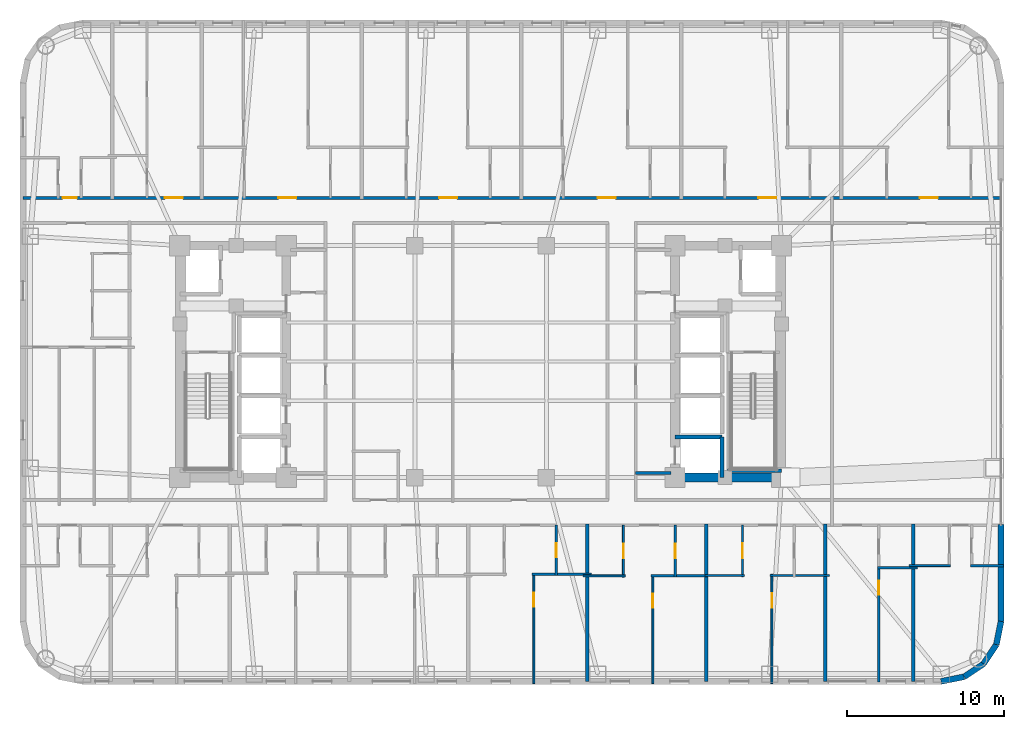
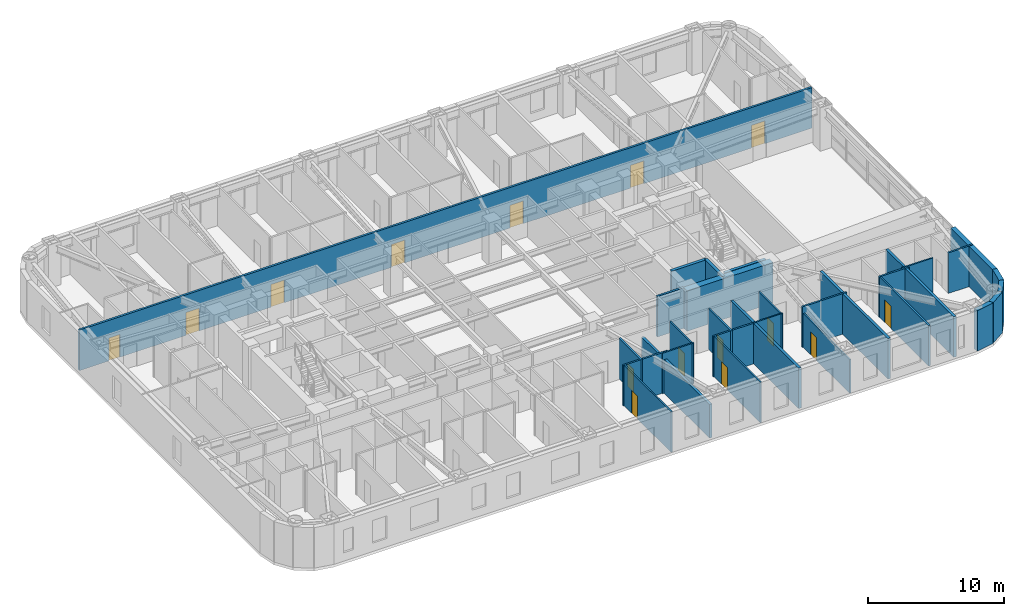
# One storey, part 10 of 16: 31 walls, 15 doors, 15 openings.
"""IFC4 building model written with IfcOpenShell, lengths in metres."""

import ifcopenshell
import ifcopenshell.guid

model = None  # the IFC model being written
_history = None  # IfcOwnerHistory: only IFC2X3 demands one
_inside = {}  # id of a spatial element -> (the spatial element, [elements in it])
_under = {}  # id of a project, library or spatial element -> (it, [spatial elements below it])
_declared = {}  # id of a project -> (the project, [libraries it declares])
_typed = {}  # id of a type object -> (the type object, [elements of that type])
_made_of = {}  # id of a material, layer set ... -> (it, [elements and type objects made of it])


def new_model(schema):
    """Start an empty IFC model of exactly this schema.

    Asked for "IFC4X3", IfcOpenShell would pick the latest addendum, in which some entities
    have other attributes; the version numbers below select the first issue.
    IFC2X3 requires an IfcOwnerHistory on every rooted entity: one is made here for all.
    """
    global model, _history
    if schema == "IFC4X3":
        model = ifcopenshell.file(schema_version=(4, 3, 0, 0))
    else:
        model = ifcopenshell.file(schema=schema)
    _inside.clear()
    _under.clear()
    _declared.clear()
    _typed.clear()
    _made_of.clear()
    _history = None
    if model.schema == "IFC2X3":
        org = make("IfcOrganization", Name="unknown")
        user = make(
            "IfcPersonAndOrganization",
            ThePerson=make("IfcPerson", FamilyName="unknown"),
            TheOrganization=org,
        )
        app = make(
            "IfcApplication",
            ApplicationDeveloper=org,
            Version="unknown",
            ApplicationFullName="unknown",
            ApplicationIdentifier="unknown",
        )
        _history = make(
            "IfcOwnerHistory",
            OwningUser=user,
            OwningApplication=app,
            ChangeAction="ADDED",
            CreationDate=0,
        )
    return model


def make(cls, **values):
    """One entity of the class cls with the attributes given. An attribute that is None is left unset."""
    return model.create_entity(
        cls, **{name: value for name, value in values.items() if value is not None}
    )


def rooted(cls, **values):
    """An entity with a GlobalId (a new one), such as an element, a storey or a relation."""
    return make(cls, GlobalId=ifcopenshell.guid.new(), OwnerHistory=_history, **values)


def si_unit(unit_type, name, prefix=None):
    """IfcSIUnit, for example si_unit("LENGTHUNIT", "METRE", prefix="MILLI")."""
    return make("IfcSIUnit", UnitType=unit_type, Prefix=prefix, Name=name)


def assignment(units):
    """IfcUnitAssignment: the units of a project."""
    return None if units is None else make("IfcUnitAssignment", Units=units)


def point(xyz):
    """IfcCartesianPoint."""
    return None if xyz is None else make("IfcCartesianPoint", Coordinates=xyz)


def direction(xyz):
    """IfcDirection."""
    return None if xyz is None else make("IfcDirection", DirectionRatios=xyz)


def frame(location, z_axis=None, x_axis=None):
    """IfcAxis2Placement3D, a coordinate frame: its origin and axes. An axis left out is left unset."""
    return make(
        "IfcAxis2Placement3D",
        Location=point(location),
        Axis=direction(z_axis),
        RefDirection=direction(x_axis),
    )


def frame_2d(location, x_axis=None):
    """IfcAxis2Placement2D, a coordinate frame in the plane: its origin and x axis."""
    return make(
        "IfcAxis2Placement2D", Location=point(location), RefDirection=direction(x_axis)
    )


def origin():
    """The frame at (0, 0, 0) with its axes left unset."""
    return frame((0.0, 0.0, 0.0))


def place(relative_to, where):
    """IfcLocalPlacement: puts the frame where relative to a parent placement (None: the world)."""
    return make(
        "IfcLocalPlacement", PlacementRelTo=relative_to, RelativePlacement=where
    )


def context(
    kind, dimensions, precision=None, world=None, true_north=None, identifier=None
):
    """IfcGeometricRepresentationContext, for example the 3D "Model" context."""
    return make(
        "IfcGeometricRepresentationContext",
        ContextIdentifier=identifier,
        ContextType=kind,
        CoordinateSpaceDimension=dimensions,
        Precision=precision,
        WorldCoordinateSystem=world,
        TrueNorth=true_north,
    )


def subcontext(parent, identifier, kind, view, scale=None):
    """IfcGeometricRepresentationSubContext, for example "Body" below "Model"."""
    return make(
        "IfcGeometricRepresentationSubContext",
        ContextIdentifier=identifier,
        ContextType=kind,
        ParentContext=parent,
        TargetScale=scale,
        TargetView=view,
    )


def project(units=None, contexts=None):
    """IfcProject with its units and contexts."""
    return rooted(
        "IfcProject",
        Name="project",
        RepresentationContexts=contexts,
        UnitsInContext=assignment(units),
    )


def spatial(cls, under=None, at=None, **own):
    """A site, building, storey or space (cls), placed at a placement, below another one or the project."""
    s = rooted(cls, ObjectPlacement=at, **own)
    if under is not None:
        _under.setdefault(under.id(), (under, []))[1].append(s)
    return s


def profile(cls, at=None, kind="AREA", **sizes):
    """A parametric profile (cls). Its sizes go by their IFC names, for example OverallWidth=200.0."""
    return make(cls, ProfileType=kind, Position=at, **sizes)


def rectangle(**sizes):
    """IfcRectangleProfileDef."""
    return profile("IfcRectangleProfileDef", **sizes)


def extrude(swept, where, along, depth):
    """IfcExtrudedAreaSolid: the profile swept, set in the frame where, extruded along a direction by depth."""
    return make(
        "IfcExtrudedAreaSolid",
        SweptArea=swept,
        Position=where,
        ExtrudedDirection=direction(along),
        Depth=depth,
    )


def shape(context_of_items, identifier, shape_type, items):
    """IfcShapeRepresentation: the items that make up one representation, for example the "Body"."""
    return make(
        "IfcShapeRepresentation",
        ContextOfItems=context_of_items,
        RepresentationIdentifier=identifier,
        RepresentationType=shape_type,
        Items=items,
    )


def material(Name=None, Category=None):
    """IfcMaterial."""
    return make("IfcMaterial", Name=Name, Category=Category)


def layer(
    of_material, thickness, ventilated=None, Name=None, Category=None, Priority=None
):
    """IfcMaterialLayer: one layer of a wall or slab, of a material (None: an air gap)."""
    return make(
        "IfcMaterialLayer",
        Material=of_material,
        LayerThickness=thickness,
        IsVentilated=ventilated,
        Name=Name,
        Category=Category,
        Priority=Priority,
    )


def layer_set(layers, Name=None):
    """IfcMaterialLayerSet."""
    return make("IfcMaterialLayerSet", MaterialLayers=layers, LayerSetName=Name)


def made_of(thing, what):
    """Note that an element or type object is made of a material, layer set ...; save() writes the relation."""
    if what is not None:
        _made_of.setdefault(what.id(), (what, []))[1].append(thing)
    return thing


def type_object(cls, material=None, **own):
    """A type object (cls), such as IfcWallType, which elements share."""
    return made_of(rooted(cls, **own), material)


def element(
    cls,
    number,
    at=None,
    inside=None,
    cuts=None,
    type_object=None,
    material=None,
    context=None,
    identifier="Body",
    shape_type=None,
    held_by="IfcProductDefinitionShape",
    body=None,
    shapes=None,
    **own,
):
    """One element of the class cls, such as IfcWall. Its Tag is "e" and its number.

    at: its placement. inside: the storey or other place that contains it. cuts: it is an
    opening in that element (IfcRelVoidsElement). A single representation is given by context,
    identifier, shape_type and body (its items); several are given by shapes. held_by: the class
    of the entity that holds the representations. save() writes the other relations.
    """
    e = rooted(cls, Tag="e%d" % number, ObjectPlacement=at, **own)
    if body is not None:
        shapes = [shape(context, identifier, shape_type, body)]
    if shapes is not None:
        e.Representation = make(held_by, Representations=shapes)
    if inside is not None:
        _inside.setdefault(inside.id(), (inside, []))[1].append(e)
    if cuts is not None:
        rooted(
            "IfcRelVoidsElement", RelatingBuildingElement=cuts, RelatedOpeningElement=e
        )
    if type_object is not None:
        _typed.setdefault(type_object.id(), (type_object, []))[1].append(e)
    return made_of(e, material)


def fill(opening, filler):
    """IfcRelFillsElement: the door or window that sits in an opening."""
    return rooted(
        "IfcRelFillsElement",
        RelatingOpeningElement=opening,
        RelatedBuildingElement=filler,
    )


def aggregate(whole, parts):
    """IfcRelAggregates: a whole, such as a stair, and the parts it consists of."""
    return rooted("IfcRelAggregates", RelatingObject=whole, RelatedObjects=parts)


def save(model, path):
    """Write the relations noted so far, then the file.

    IfcRelAggregates (storeys below a building ...), IfcRelContainedInSpatialStructure (elements
    in a storey), IfcRelDefinesByType, IfcRelAssociatesMaterial and IfcRelDeclares: one each for
    every whole, place, type object, material and project.
    """
    for whole, parts in _under.values():
        aggregate(whole, parts)
    for where, things in _inside.values():
        rooted(
            "IfcRelContainedInSpatialStructure",
            RelatedElements=things,
            RelatingStructure=where,
        )
    for kind, things in _typed.values():
        rooted("IfcRelDefinesByType", RelatedObjects=things, RelatingType=kind)
    for what, things in _made_of.values():
        rooted("IfcRelAssociatesMaterial", RelatedObjects=things, RelatingMaterial=what)
    for by, libraries in _declared.values():
        rooted("IfcRelDeclares", RelatingContext=by, RelatedDefinitions=libraries)
    model.write(path)


model = new_model("IFC4")

# Units and contexts
model_context = context("Model", 3, precision=1e-05, world=origin(), true_north=direction((0.0, 1.0)))
body_context = subcontext(model_context, "Body", "Model", "MODEL_VIEW")
ifc_project = project(units=[si_unit("LENGTHUNIT", "METRE"), si_unit("AREAUNIT", "SQUARE_METRE"), si_unit("VOLUMEUNIT", "CUBIC_METRE"), si_unit("PLANEANGLEUNIT", "RADIAN"), si_unit("MASSUNIT", "GRAM", prefix="KILO")], contexts=[model_context])

# Site, building, storey
site_placement = place(None, origin())
site = spatial("IfcSite", under=ifc_project, at=site_placement, CompositionType="ELEMENT")
building_placement = place(site_placement, origin())
building = spatial("IfcBuilding", under=site, at=building_placement, Name="Voryun Gate Residences", CompositionType="ELEMENT")
storey_placement = place(building_placement, frame((0.0, 0.0, 93.60009765625)))
storey = spatial("IfcBuildingStorey", under=building, at=storey_placement, Name="L22", CompositionType="ELEMENT", Elevation=93.60009765625)

# Walls
ifc_material_1 = material(Name="Concrete C60/75", Category="concrete")
ifc_layer_1 = layer(ifc_material_1, 0.550048828125, Name="CW_CORE_550")
ifc_layer_set_1 = layer_set([ifc_layer_1], Name="Concrete C60/75")
wall_type_1 = type_object("IfcWallType", Name="CW_CORE_550", PredefinedType="SHEAR", material=ifc_layer_set_1)
wall_1_placement = place(storey_placement, frame((12.125, -7.39990234375, 0.0), z_axis=(0.0, 0.0, 1.0), x_axis=(1.0, 0.0, 0.0)))
element("IfcWall", 1, at=wall_1_placement, inside=storey, type_object=wall_type_1, Name="L22 Core shear wall CW-L22-ES", PredefinedType="SHEAR", context=body_context, shape_type="SweptSolid", body=[
    extrude(rectangle(XDim=7.35009765625, YDim=0.550048828125, at=frame_2d((3.675048828125, 0.0))), origin(), (0.0, 0.0, 1.0), 3.64990234375),
])
ifc_material_2 = material(Name="Gypsum acoustic fireboard")
ifc_layer_2 = layer(ifc_material_2, 0.179931640625, Name="W_CORR_RATED_180")
ifc_layer_set_2 = layer_set([ifc_layer_2], Name="Gypsum acoustic fireboard")
wall_type_2 = type_object("IfcWallType", Name="W_CORR_RATED_180", PredefinedType="PARTITIONING", material=ifc_layer_set_2)
wall_2_placement = place(storey_placement, frame((9.8798828125, -7.1201171875, 0.0), z_axis=(0.0, 0.0, 1.0), x_axis=(1.0, 0.0, 0.0)))
element("IfcWall", 2, at=wall_2_placement, inside=storey, type_object=wall_type_2, Name="Partition wall WP-L22-PLBS-E", PredefinedType="PARTITIONING", context=body_context, shape_type="SweptSolid", body=[
    extrude(rectangle(XDim=2.27001953125, YDim=0.179931640625, at=frame_2d((1.135009765625, 0.0))), origin(), (0.0, 0.0, 1.0), 3.64990234375),
])

# Wall, openings, doors
wall_3_placement = place(storey_placement, frame((-29.2099609375, 10.449951171875, 0.0), z_axis=(0.0, 0.0, 1.0), x_axis=(1.0, 0.0, 0.0)))
wall_3 = element("IfcWall", 3, at=wall_3_placement, inside=storey, type_object=wall_type_2, Name="Partition wall WP-L22-NCORR", PredefinedType="PARTITIONING", context=body_context, shape_type="SweptSolid", body=[
    extrude(rectangle(XDim=62.419921875, YDim=0.179931640625, at=frame_2d((31.2099609375, 0.0))), origin(), (0.0, 0.0, 1.0), 3.64990234375),
])
opening_1_placement = place(wall_3_placement, frame((2.53369140625, 0.0, 0.0)))
opening_1 = element("IfcOpeningElement", 4, at=opening_1_placement, cuts=wall_3, Name="Opening D-INT-2", PredefinedType="OPENING", context=body_context, shape_type="SweptSolid", body=[
    extrude(rectangle(XDim=0.89990234375, YDim=2.050048828125, at=frame_2d((0.449951171875, 1.02490234375))), frame((0.0, 0.099853515625, 0.0), z_axis=(0.0, -1.0, 0.0), x_axis=(1.0, 0.0, 0.0)), (0.0, 0.0, 1.0), 0.199951171875),
])
opening_2_placement = place(wall_3_placement, frame((9.056396484375, 0.0, 0.0)))
opening_2 = element("IfcOpeningElement", 5, at=opening_2_placement, cuts=wall_3, Name="Opening D-UNIT-1", PredefinedType="OPENING", context=body_context, shape_type="SweptSolid", body=[
    extrude(rectangle(XDim=1.14990234375, YDim=2.050048828125, at=frame_2d((0.574951171875, 1.02490234375))), frame((0.0, 0.099853515625, 0.0), z_axis=(0.0, -1.0, 0.0), x_axis=(1.0, 0.0, 0.0)), (0.0, 0.0, 1.0), 0.199951171875),
])
opening_3_placement = place(wall_3_placement, frame((16.303466796875, 0.0, 0.0)))
opening_3 = element("IfcOpeningElement", 6, at=opening_3_placement, cuts=wall_3, Name="Opening D-UNIT-1", PredefinedType="OPENING", context=body_context, shape_type="SweptSolid", body=[
    extrude(rectangle(XDim=1.14990234375, YDim=2.050048828125, at=frame_2d((0.574951171875, 1.02490234375))), frame((0.0, 0.099853515625, 0.0), z_axis=(0.0, -1.0, 0.0), x_axis=(1.0, 0.0, 0.0)), (0.0, 0.0, 1.0), 0.199951171875),
])
opening_4_placement = place(wall_3_placement, frame((26.565185546875, 0.0, 0.0)))
opening_4 = element("IfcOpeningElement", 7, at=opening_4_placement, cuts=wall_3, Name="Opening D-UNIT-1", PredefinedType="OPENING", context=body_context, shape_type="SweptSolid", body=[
    extrude(rectangle(XDim=1.14990234375, YDim=2.050048828125, at=frame_2d((0.574951171875, 1.02490234375))), frame((0.0, 0.099853515625, 0.0), z_axis=(0.0, -1.0, 0.0), x_axis=(1.0, 0.0, 0.0)), (0.0, 0.0, 1.0), 0.199951171875),
])
opening_5_placement = place(wall_3_placement, frame((36.67724609375, 0.0, 0.0)))
opening_5 = element("IfcOpeningElement", 8, at=opening_5_placement, cuts=wall_3, Name="Opening D-UNIT-1", PredefinedType="OPENING", context=body_context, shape_type="SweptSolid", body=[
    extrude(rectangle(XDim=1.14990234375, YDim=2.050048828125, at=frame_2d((0.574951171875, 1.02490234375))), frame((0.0, 0.099853515625, 0.0), z_axis=(0.0, -1.0, 0.0), x_axis=(1.0, 0.0, 0.0)), (0.0, 0.0, 1.0), 0.199951171875),
])
opening_6_placement = place(wall_3_placement, frame((46.939208984375, 0.0, 0.0)))
opening_6 = element("IfcOpeningElement", 9, at=opening_6_placement, cuts=wall_3, Name="Opening D-UNIT-1", PredefinedType="OPENING", context=body_context, shape_type="SweptSolid", body=[
    extrude(rectangle(XDim=1.14990234375, YDim=2.050048828125, at=frame_2d((0.574951171875, 1.02490234375))), frame((0.0, 0.099853515625, 0.0), z_axis=(0.0, -1.0, 0.0), x_axis=(1.0, 0.0, 0.0)), (0.0, 0.0, 1.0), 0.199951171875),
])
opening_7_placement = place(wall_3_placement, frame((57.24462890625, 0.0, 0.0)))
opening_7 = element("IfcOpeningElement", 10, at=opening_7_placement, cuts=wall_3, Name="Opening D-UNIT-1", PredefinedType="OPENING", context=body_context, shape_type="SweptSolid", body=[
    extrude(rectangle(XDim=1.14990234375, YDim=2.050048828125, at=frame_2d((0.574951171875, 1.02490234375))), frame((0.0, 0.099853515625, 0.0), z_axis=(0.0, -1.0, 0.0), x_axis=(1.0, 0.0, 0.0)), (0.0, 0.0, 1.0), 0.199951171875),
])
ifc_material_3 = material(Name="Architectural oak veneer")
door_type_1 = type_object("IfcDoorType", Name="DR_INT_BATH_900", OperationType="NOTDEFINED", PredefinedType="DOOR", material=ifc_material_3)
door_1_placement = place(opening_1_placement, origin())
door_1 = element("IfcDoor", 11, at=door_1_placement, inside=storey, type_object=door_type_1, Name="Door DR-L22-NENT-1", OperationType="SINGLE_SWING_LEFT", OverallHeight=2.050048828125, OverallWidth=0.89990234375, PredefinedType="DOOR", context=body_context, shape_type="SweptSolid", body=[
    extrude(rectangle(XDim=0.89990234375, YDim=2.050048828125, at=frame_2d((0.449951171875, 1.02490234375))), frame((0.0, 0.02490234375, 0.0), z_axis=(0.0, -1.0, 0.0), x_axis=(1.0, 0.0, 0.0)), (0.0, 0.0, 1.0), 0.050048828125),
])
fill(opening_1, door_1)
ifc_material_4 = material(Name="Armoured timber-clad fire door", Category="wood")
door_type_2 = type_object("IfcDoorType", Name="DR_UNIT_ENTRY_1150", OperationType="NOTDEFINED", PredefinedType="DOOR", material=ifc_material_4)
door_2_placement = place(opening_2_placement, origin())
door_2 = element("IfcDoor", 12, at=door_2_placement, inside=storey, type_object=door_type_2, Name="Door DR-L22-NENT-2", OperationType="SINGLE_SWING_RIGHT", OverallHeight=2.050048828125, OverallWidth=1.14990234375, PredefinedType="DOOR", context=body_context, shape_type="SweptSolid", body=[
    extrude(rectangle(XDim=1.14990234375, YDim=2.050048828125, at=frame_2d((0.574951171875, 1.02490234375))), frame((0.0, 0.02490234375, 0.0), z_axis=(0.0, -1.0, 0.0), x_axis=(1.0, 0.0, 0.0)), (0.0, 0.0, 1.0), 0.050048828125),
])
fill(opening_2, door_2)
door_3_placement = place(opening_3_placement, origin())
door_3 = element("IfcDoor", 13, at=door_3_placement, inside=storey, type_object=door_type_2, Name="Door DR-L22-NENT-3", OperationType="SINGLE_SWING_LEFT", OverallHeight=2.050048828125, OverallWidth=1.14990234375, PredefinedType="DOOR", context=body_context, shape_type="SweptSolid", body=[
    extrude(rectangle(XDim=1.14990234375, YDim=2.050048828125, at=frame_2d((0.574951171875, 1.02490234375))), frame((0.0, 0.02490234375, 0.0), z_axis=(0.0, -1.0, 0.0), x_axis=(1.0, 0.0, 0.0)), (0.0, 0.0, 1.0), 0.050048828125),
])
fill(opening_3, door_3)
door_4_placement = place(opening_4_placement, origin())
door_4 = element("IfcDoor", 14, at=door_4_placement, inside=storey, type_object=door_type_2, Name="Door DR-L22-NENT-4", OperationType="SINGLE_SWING_RIGHT", OverallHeight=2.050048828125, OverallWidth=1.14990234375, PredefinedType="DOOR", context=body_context, shape_type="SweptSolid", body=[
    extrude(rectangle(XDim=1.14990234375, YDim=2.050048828125, at=frame_2d((0.574951171875, 1.02490234375))), frame((0.0, 0.02490234375, 0.0), z_axis=(0.0, -1.0, 0.0), x_axis=(1.0, 0.0, 0.0)), (0.0, 0.0, 1.0), 0.050048828125),
])
fill(opening_4, door_4)
door_5_placement = place(opening_5_placement, origin())
door_5 = element("IfcDoor", 15, at=door_5_placement, inside=storey, type_object=door_type_2, Name="Door DR-L22-NENT-5", OperationType="SINGLE_SWING_LEFT", OverallHeight=2.050048828125, OverallWidth=1.14990234375, PredefinedType="DOOR", context=body_context, shape_type="SweptSolid", body=[
    extrude(rectangle(XDim=1.14990234375, YDim=2.050048828125, at=frame_2d((0.574951171875, 1.02490234375))), frame((0.0, 0.02490234375, 0.0), z_axis=(0.0, -1.0, 0.0), x_axis=(1.0, 0.0, 0.0)), (0.0, 0.0, 1.0), 0.050048828125),
])
fill(opening_5, door_5)
door_6_placement = place(opening_6_placement, origin())
door_6 = element("IfcDoor", 16, at=door_6_placement, inside=storey, type_object=door_type_2, Name="Door DR-L22-NENT-6", OperationType="SINGLE_SWING_RIGHT", OverallHeight=2.050048828125, OverallWidth=1.14990234375, PredefinedType="DOOR", context=body_context, shape_type="SweptSolid", body=[
    extrude(rectangle(XDim=1.14990234375, YDim=2.050048828125, at=frame_2d((0.574951171875, 1.02490234375))), frame((0.0, 0.02490234375, 0.0), z_axis=(0.0, -1.0, 0.0), x_axis=(1.0, 0.0, 0.0)), (0.0, 0.0, 1.0), 0.050048828125),
])
fill(opening_6, door_6)
door_7_placement = place(opening_7_placement, origin())
door_7 = element("IfcDoor", 17, at=door_7_placement, inside=storey, type_object=door_type_2, Name="Door DR-L22-NENT-7", OperationType="SINGLE_SWING_LEFT", OverallHeight=2.050048828125, OverallWidth=1.14990234375, PredefinedType="DOOR", context=body_context, shape_type="SweptSolid", body=[
    extrude(rectangle(XDim=1.14990234375, YDim=2.050048828125, at=frame_2d((0.574951171875, 1.02490234375))), frame((0.0, 0.02490234375, 0.0), z_axis=(0.0, -1.0, 0.0), x_axis=(1.0, 0.0, 0.0)), (0.0, 0.0, 1.0), 0.050048828125),
])
fill(opening_7, door_7)

# Walls
ifc_material_5 = material(Name="Granite masonry", Category="masonry")
ifc_layer_3 = layer(ifc_material_5, 0.3798828125, Name="W_EXT_GRANITE_380")
ifc_layer_set_3 = layer_set([ifc_layer_3], Name="Granite masonry")
wall_type_3 = type_object("IfcWallType", Name="W_EXT_GRANITE_380", PredefinedType="ELEMENTEDWALL", material=ifc_layer_set_3)
wall_4_placement = place(storey_placement, frame((33.2099609375, -10.39599609375, 0.0), z_axis=(0.0, 0.0, 1.0), x_axis=(0.0, -1.0, 0.0)))
element("IfcWall", 18, at=wall_4_placement, inside=storey, type_object=wall_type_3, Name="Exterior wall WEXT-L22-16B", PredefinedType="ELEMENTEDWALL", context=body_context, shape_type="SweptSolid", body=[
    extrude(rectangle(XDim=6.185302734375, YDim=0.3798828125, at=frame_2d((3.0927734375, 0.0))), origin(), (0.0, 0.0, 1.0), 3.64990234375),
])
wall_5_placement = place(storey_placement, frame((33.2099609375, -16.581298828125, 0.0), z_axis=(0.0, 0.0, 1.0), x_axis=(-0.195086038585, -0.980786132421, 0.0)))
element("IfcWall", 19, at=wall_5_placement, inside=storey, type_object=wall_type_3, Name="Exterior wall WEXT-L22-17", PredefinedType="ELEMENTEDWALL", context=body_context, shape_type="SweptSolid", body=[
    extrude(rectangle(XDim=1.504150390625, YDim=0.3798828125, at=frame_2d((0.751953125, 0.0))), origin(), (0.0, 0.0, 1.0), 3.64990234375),
])
wall_6_placement = place(storey_placement, frame((32.91650390625, -18.056640625, 0.0), z_axis=(0.0, 0.0, 1.0), x_axis=(-0.555610286119, -0.831442848281, 0.0)))
element("IfcWall", 20, at=wall_6_placement, inside=storey, type_object=wall_type_3, Name="Exterior wall WEXT-L22-18", PredefinedType="ELEMENTEDWALL", context=body_context, shape_type="SweptSolid", body=[
    extrude(rectangle(XDim=1.485107421875, YDim=0.3798828125, at=frame_2d((0.74267578125, 0.0))), origin(), (0.0, 0.0, 1.0), 3.64990234375),
])
wall_7_placement = place(storey_placement, frame((32.09130859375, -19.29150390625, 0.0), z_axis=(0.0, 0.0, 1.0), x_axis=(-0.831468045563, -0.555572577804, 0.0)))
element("IfcWall", 21, at=wall_7_placement, inside=storey, type_object=wall_type_3, Name="Exterior wall WEXT-L22-19", PredefinedType="ELEMENTEDWALL", context=body_context, shape_type="SweptSolid", body=[
    extrude(rectangle(XDim=1.48486328125, YDim=0.3798828125, at=frame_2d((0.742431640625, 0.0))), origin(), (0.0, 0.0, 1.0), 3.64990234375),
])
wall_8_placement = place(storey_placement, frame((30.856689453125, -20.116455078125, 0.0), z_axis=(0.0, 0.0, 1.0), x_axis=(-0.980786132421, -0.195086038585, 0.0)))
element("IfcWall", 22, at=wall_8_placement, inside=storey, type_object=wall_type_3, Name="Exterior wall WEXT-L22-20", PredefinedType="ELEMENTEDWALL", context=body_context, shape_type="SweptSolid", body=[
    extrude(rectangle(XDim=1.504150390625, YDim=0.3798828125, at=frame_2d((0.751953125, 0.0))), origin(), (0.0, 0.0, 1.0), 3.64990234375),
])
ifc_material_6 = material(Name="Concrete C40/50", Category="concrete")
ifc_layer_4 = layer(ifc_material_6, 0.219970703125, Name="W_PARTY_ACOUSTIC_220")
ifc_layer_set_4 = layer_set([ifc_layer_4], Name="Concrete C40/50")
wall_type_4 = type_object("IfcWallType", Name="W_PARTY_ACOUSTIC_220", PredefinedType="PARTITIONING", material=ifc_layer_set_4)
wall_9_placement = place(storey_placement, frame((6.800048828125, -20.409912109375, 0.0), z_axis=(0.0, 0.0, 1.0), x_axis=(0.0, 1.0, 0.0)))
element("IfcWall", 23, at=wall_9_placement, inside=storey, type_object=wall_type_4, Name="Partition wall WP-L22-SPTY-5", PredefinedType="PARTITIONING", context=body_context, shape_type="SweptSolid", body=[
    extrude(rectangle(XDim=10.039794921875, YDim=0.219970703125, at=frame_2d((5.02001953125, 0.0))), origin(), (0.0, 0.0, 1.0), 3.039794921875),
])
for number, where, z_axis, x_axis, name in (
    (24, (14.39990234375, -20.409912109375, 0.0), (0.0, 0.0, 1.0), (0.0, 1.0, 0.0), "Partition wall WP-L22-SPTY-6"),
    (25, (22.0, -20.409912109375, 0.0), (0.0, 0.0, 1.0), (0.0, 1.0, 0.0), "Partition wall WP-L22-SPTY-7"),
    (26, (27.60888671875, -20.409912109375, 0.0), (0.0, 0.0, 1.0), (0.0, 1.0, 0.0), "Partition wall WP-L22-SPTY-8"),
):
    element("IfcWall", number, at=place(storey_placement, frame(where, z_axis=z_axis, x_axis=x_axis)), inside=storey, type_object=wall_type_4, Name=name, PredefinedType="PARTITIONING", context=body_context, shape_type="SweptSolid", body=[
        extrude(rectangle(XDim=10.039794921875, YDim=0.219970703125, at=frame_2d((5.02001953125, 0.0))), origin(), (0.0, 0.0, 1.0), 3.64990234375),
    ])
ifc_material_7 = material(Name="Concrete C50/60", Category="concrete")
ifc_layer_5 = layer(ifc_material_7, 0.25, Name="W_SHAFT_RC250")
ifc_layer_set_5 = layer_set([ifc_layer_5], Name="Concrete C50/60")
wall_type_5 = type_object("IfcWallType", Name="W_SHAFT_RC250", PredefinedType="SOLIDWALL", material=ifc_layer_set_5)
wall_10_placement = place(storey_placement, frame((15.739990234375, -6.965087890625, 0.0), z_axis=(0.0, 0.0, 1.0), x_axis=(1.0, 0.0, 0.0)))
element("IfcWall", 27, at=wall_10_placement, inside=storey, type_object=wall_type_5, Name="L22 Stair shaft structural wall E-STS", PredefinedType="SOLIDWALL", context=body_context, shape_type="SweptSolid", body=[
    extrude(rectangle(XDim=3.4599609375, YDim=0.25, at=frame_2d((1.72998046875, 0.0))), origin(), (0.0, 0.0, 1.0), 3.64990234375),
])
wall_11_placement = place(storey_placement, frame((15.39990234375, -7.39990234375, 0.0), z_axis=(0.0, 0.0, 1.0), x_axis=(0.0, 1.0, 0.0)))
element("IfcWall", 28, at=wall_11_placement, inside=storey, type_object=wall_type_5, Name="Lift shaft wall WSH-L22-EL-P3-E", PredefinedType="SOLIDWALL", context=body_context, shape_type="SweptSolid", body=[
    extrude(rectangle(XDim=2.599853515625, YDim=0.25, at=frame_2d((1.2998046875, 0.0))), origin(), (0.0, 0.0, 1.0), 3.64990234375),
])
wall_12_placement = place(storey_placement, frame((15.39990234375, -4.800048828125, 0.0), z_axis=(0.0, 0.0, 1.0), x_axis=(-1.0, 0.0, 0.0)))
element("IfcWall", 29, at=wall_12_placement, inside=storey, type_object=wall_type_5, Name="Lift shaft wall WSH-L22-EL-P3-N", PredefinedType="SOLIDWALL", context=body_context, shape_type="SweptSolid", body=[
    extrude(rectangle(XDim=3.0, YDim=0.25, at=frame_2d((1.5, 0.0))), origin(), (0.0, 0.0, 1.0), 3.64990234375),
])

# Wall, opening, door
ifc_material_8 = material(Name="Gypsum acoustic partition")
ifc_layer_6 = layer(ifc_material_8, 0.125, Name="W_UNIT_PART_125")
ifc_layer_set_6 = layer_set([ifc_layer_6], Name="Gypsum acoustic partition")
wall_type_6 = type_object("IfcWallType", Name="W_UNIT_PART_125", PredefinedType="PARTITIONING", material=ifc_layer_set_6)
wall_13_placement = place(storey_placement, frame((3.389892578125, -20.56005859375, 0.0), z_axis=(0.0, 0.0, 1.0), x_axis=(0.0, 1.0, 0.0)))
wall_13 = element("IfcWall", 30, at=wall_13_placement, inside=storey, type_object=wall_type_6, Name="Partition wall WP-L22-S5-OVR", PredefinedType="PARTITIONING", context=body_context, shape_type="SweptSolid", body=[
    extrude(rectangle(XDim=7.06103515625, YDim=0.125, at=frame_2d((3.530517578125, 0.0))), origin(), (0.0, 0.0, 1.0), 3.64990234375),
])
opening_8_placement = place(wall_13_placement, frame((4.91650390625, 0.0, 0.0)))
opening_8 = element("IfcOpeningElement", 31, at=opening_8_placement, cuts=wall_13, Name="Opening D-INT-2", PredefinedType="OPENING", context=body_context, shape_type="SweptSolid", body=[
    extrude(rectangle(XDim=0.89990234375, YDim=2.050048828125, at=frame_2d((0.449951171875, 1.02490234375))), frame((0.0, 0.072509765625, 0.0), z_axis=(0.0, -1.0, 0.0), x_axis=(1.0, 0.0, 0.0)), (0.0, 0.0, 1.0), 0.14501953125),
])
door_8_placement = place(opening_8_placement, origin())
door_8 = element("IfcDoor", 32, at=door_8_placement, inside=storey, type_object=door_type_1, Name="Door DR-L22-S5-DMB", OperationType="SINGLE_SWING_RIGHT", OverallHeight=2.050048828125, OverallWidth=0.89990234375, PredefinedType="DOOR", context=body_context, shape_type="SweptSolid", body=[
    extrude(rectangle(XDim=0.89990234375, YDim=2.050048828125, at=frame_2d((0.449951171875, 1.02490234375))), frame((0.0, 0.02490234375, 0.0), z_axis=(0.0, -1.0, 0.0), x_axis=(1.0, 0.0, 0.0)), (0.0, 0.0, 1.0), 0.050048828125),
])
fill(opening_8, door_8)

wall_14_placement = place(storey_placement, frame((10.989990234375, -20.56005859375, 0.0), z_axis=(0.0, 0.0, 1.0), x_axis=(0.0, 1.0, 0.0)))
wall_14 = element("IfcWall", 33, at=wall_14_placement, inside=storey, type_object=wall_type_6, Name="Partition wall WP-L22-S6-OVR", PredefinedType="PARTITIONING", context=body_context, shape_type="SweptSolid", body=[
    extrude(rectangle(XDim=6.969970703125, YDim=0.125, at=frame_2d((3.48486328125, 0.0))), origin(), (0.0, 0.0, 1.0), 3.64990234375),
])
opening_9_placement = place(wall_14_placement, frame((4.84716796875, 0.0, 0.0)))
opening_9 = element("IfcOpeningElement", 34, at=opening_9_placement, cuts=wall_14, Name="Opening D-INT-2", PredefinedType="OPENING", context=body_context, shape_type="SweptSolid", body=[
    extrude(rectangle(XDim=0.89990234375, YDim=2.050048828125, at=frame_2d((0.449951171875, 1.02490234375))), frame((0.0, 0.072509765625, 0.0), z_axis=(0.0, -1.0, 0.0), x_axis=(1.0, 0.0, 0.0)), (0.0, 0.0, 1.0), 0.14501953125),
])
door_9_placement = place(opening_9_placement, origin())
door_9 = element("IfcDoor", 35, at=door_9_placement, inside=storey, type_object=door_type_1, Name="Door DR-L22-S6-DMB", OperationType="SINGLE_SWING_RIGHT", OverallHeight=2.050048828125, OverallWidth=0.89990234375, PredefinedType="DOOR", context=body_context, shape_type="SweptSolid", body=[
    extrude(rectangle(XDim=0.89990234375, YDim=2.050048828125, at=frame_2d((0.449951171875, 1.02490234375))), frame((0.0, 0.02490234375, 0.0), z_axis=(0.0, -1.0, 0.0), x_axis=(1.0, 0.0, 0.0)), (0.0, 0.0, 1.0), 0.050048828125),
])
fill(opening_9, door_9)

wall_15_placement = place(storey_placement, frame((9.110107421875, -13.75, 0.0), z_axis=(0.0, 0.0, 1.0), x_axis=(0.0, 1.0, 0.0)))
wall_15 = element("IfcWall", 36, at=wall_15_placement, inside=storey, type_object=wall_type_6, Name="Partition wall WP-L22-S6-IVK", PredefinedType="PARTITIONING", context=body_context, shape_type="SweptSolid", body=[
    extrude(rectangle(XDim=3.320068359375, YDim=0.125, at=frame_2d((1.66015625, 0.0))), origin(), (0.0, 0.0, 1.0), 3.64990234375),
])
opening_10_placement = place(wall_15_placement, frame((1.18505859375, 0.0, 0.0)))
opening_10 = element("IfcOpeningElement", 37, at=opening_10_placement, cuts=wall_15, Name="Opening D-INT-1", PredefinedType="OPENING", context=body_context, shape_type="SweptSolid", body=[
    extrude(rectangle(XDim=0.949951171875, YDim=2.050048828125, at=frame_2d((0.47509765625, 1.02490234375))), frame((0.0, 0.072509765625, 0.0), z_axis=(0.0, -1.0, 0.0), x_axis=(1.0, 0.0, 0.0)), (0.0, 0.0, 1.0), 0.14501953125),
])
ifc_material_9 = material(Name="Architectural oak veneer")
door_type_3 = type_object("IfcDoorType", Name="DR_INT_ROOM_950", OperationType="NOTDEFINED", PredefinedType="DOOR", material=ifc_material_9)
door_10_placement = place(opening_10_placement, origin())
door_10 = element("IfcDoor", 38, at=door_10_placement, inside=storey, type_object=door_type_3, Name="Door DR-L22-S6-DK", OperationType="SINGLE_SWING_LEFT", OverallHeight=2.050048828125, OverallWidth=0.949951171875, PredefinedType="DOOR", context=body_context, shape_type="SweptSolid", body=[
    extrude(rectangle(XDim=0.949951171875, YDim=2.050048828125, at=frame_2d((0.47509765625, 1.02490234375))), frame((0.0, 0.02490234375, 0.0), z_axis=(0.0, -1.0, 0.0), x_axis=(1.0, 0.0, 0.0)), (0.0, 0.0, 1.0), 0.050048828125),
])
fill(opening_10, door_10)

# Wall
wall_16_placement = place(storey_placement, frame((6.5400390625, -13.669921875, 0.0), z_axis=(0.0, 0.0, 1.0), x_axis=(1.0, 0.0, 0.0)))
element("IfcWall", 39, at=wall_16_placement, inside=storey, type_object=wall_type_6, Name="Partition wall WP-L22-S6-HZK", PredefinedType="PARTITIONING", context=body_context, shape_type="SweptSolid", body=[
    extrude(rectangle(XDim=2.68994140625, YDim=0.125, at=frame_2d((1.344970703125, 0.0))), origin(), (0.0, 0.0, 1.0), 3.64990234375),
])

# Wall, opening, door
wall_17_placement = place(storey_placement, frame((18.590087890625, -20.56005859375, 0.0), z_axis=(0.0, 0.0, 1.0), x_axis=(0.0, 1.0, 0.0)))
wall_17 = element("IfcWall", 40, at=wall_17_placement, inside=storey, type_object=wall_type_6, Name="Partition wall WP-L22-S7-OVR", PredefinedType="PARTITIONING", context=body_context, shape_type="SweptSolid", body=[
    extrude(rectangle(XDim=6.987060546875, YDim=0.125, at=frame_2d((3.49365234375, 0.0))), origin(), (0.0, 0.0, 1.0), 3.039794921875),
])
opening_11_placement = place(wall_17_placement, frame((4.860107421875, 0.0, 0.0)))
opening_11 = element("IfcOpeningElement", 41, at=opening_11_placement, cuts=wall_17, Name="Opening D-INT-2", PredefinedType="OPENING", context=body_context, shape_type="SweptSolid", body=[
    extrude(rectangle(XDim=0.89990234375, YDim=2.050048828125, at=frame_2d((0.449951171875, 1.02490234375))), frame((0.0, 0.072509765625, 0.0), z_axis=(0.0, -1.0, 0.0), x_axis=(1.0, 0.0, 0.0)), (0.0, 0.0, 1.0), 0.14501953125),
])
door_11_placement = place(opening_11_placement, origin())
door_11 = element("IfcDoor", 42, at=door_11_placement, inside=storey, type_object=door_type_1, Name="Door DR-L22-S7-DMB", OperationType="SINGLE_SWING_RIGHT", OverallHeight=2.050048828125, OverallWidth=0.89990234375, PredefinedType="DOOR", context=body_context, shape_type="SweptSolid", body=[
    extrude(rectangle(XDim=0.89990234375, YDim=2.050048828125, at=frame_2d((0.449951171875, 1.02490234375))), frame((0.0, 0.02490234375, 0.0), z_axis=(0.0, -1.0, 0.0), x_axis=(1.0, 0.0, 0.0)), (0.0, 0.0, 1.0), 0.050048828125),
])
fill(opening_11, door_11)

wall_18_placement = place(storey_placement, frame((16.7099609375, -13.73291015625, 0.0), z_axis=(0.0, 0.0, 1.0), x_axis=(0.0, 1.0, 0.0)))
wall_18 = element("IfcWall", 43, at=wall_18_placement, inside=storey, type_object=wall_type_6, Name="Partition wall WP-L22-S7-IVK", PredefinedType="PARTITIONING", context=body_context, shape_type="SweptSolid", body=[
    extrude(rectangle(XDim=3.302978515625, YDim=0.125, at=frame_2d((1.6513671875, 0.0))), origin(), (0.0, 0.0, 1.0), 3.64990234375),
])
opening_12_placement = place(wall_18_placement, frame((1.176513671875, 0.0, 0.0)))
opening_12 = element("IfcOpeningElement", 44, at=opening_12_placement, cuts=wall_18, Name="Opening D-INT-1", PredefinedType="OPENING", context=body_context, shape_type="SweptSolid", body=[
    extrude(rectangle(XDim=0.949951171875, YDim=2.050048828125, at=frame_2d((0.47509765625, 1.02490234375))), frame((0.0, 0.072509765625, 0.0), z_axis=(0.0, -1.0, 0.0), x_axis=(1.0, 0.0, 0.0)), (0.0, 0.0, 1.0), 0.14501953125),
])
door_12_placement = place(opening_12_placement, origin())
door_12 = element("IfcDoor", 45, at=door_12_placement, inside=storey, type_object=door_type_3, Name="Door DR-L22-S7-DK", OperationType="SINGLE_SWING_LEFT", OverallHeight=2.050048828125, OverallWidth=0.949951171875, PredefinedType="DOOR", context=body_context, shape_type="SweptSolid", body=[
    extrude(rectangle(XDim=0.949951171875, YDim=2.050048828125, at=frame_2d((0.47509765625, 1.02490234375))), frame((0.0, 0.02490234375, 0.0), z_axis=(0.0, -1.0, 0.0), x_axis=(1.0, 0.0, 0.0)), (0.0, 0.0, 1.0), 0.050048828125),
])
fill(opening_12, door_12)

# Walls
wall_19_placement = place(storey_placement, frame((14.324951171875, -13.653076171875, 0.0), z_axis=(0.0, 0.0, 1.0), x_axis=(1.0, 0.0, 0.0)))
element("IfcWall", 46, at=wall_19_placement, inside=storey, type_object=wall_type_6, Name="Partition wall WP-L22-S7-HZK", PredefinedType="PARTITIONING", context=body_context, shape_type="SweptSolid", body=[
    extrude(rectangle(XDim=2.505126953125, YDim=0.125, at=frame_2d((1.25244140625, 0.0))), origin(), (0.0, 0.0, 1.0), 3.64990234375),
])
wall_20_placement = place(storey_placement, frame((27.34912109375, -13.02001953125, 0.0), z_axis=(0.0, 0.0, 1.0), x_axis=(1.0, 0.0, 0.0)))
element("IfcWall", 47, at=wall_20_placement, inside=storey, type_object=wall_type_6, Name="Partition wall WP-L22-S9-CHK", PredefinedType="PARTITIONING", context=body_context, shape_type="SweptSolid", body=[
    extrude(rectangle(XDim=2.6298828125, YDim=0.125, at=frame_2d((1.31494140625, 0.0))), origin(), (0.0, 0.0, 1.0), 3.64990234375),
])
ifc_material_10 = material(Name="Gypsum moisture-resistant partition")
ifc_layer_7 = layer(ifc_material_10, 0.14990234375, Name="W_WET_PLUMB_150")
ifc_layer_set_7 = layer_set([ifc_layer_7], Name="Gypsum moisture-resistant partition")
wall_type_7 = type_object("IfcWallType", Name="W_WET_PLUMB_150", PredefinedType="PLUMBINGWALL", material=ifc_layer_set_7)
wall_21_placement = place(storey_placement, frame((3.27001953125, -13.5791015625, 0.0), z_axis=(0.0, 0.0, 1.0), x_axis=(1.0, 0.0, 0.0)))
element("IfcWall", 48, at=wall_21_placement, inside=storey, type_object=wall_type_7, Name="Partition wall WP-L22-S5-HZB", PredefinedType="PLUMBINGWALL", context=body_context, shape_type="SweptSolid", body=[
    extrude(rectangle(XDim=3.7900390625, YDim=0.14990234375, at=frame_2d((1.89501953125, 0.0))), origin(), (0.0, 0.0, 1.0), 3.64990234375),
])

# Wall, opening, door
wall_22_placement = place(storey_placement, frame((4.820068359375, -13.658935546875, 0.0), z_axis=(0.0, 0.0, 1.0), x_axis=(0.0, 1.0, 0.0)))
wall_22 = element("IfcWall", 49, at=wall_22_placement, inside=storey, type_object=wall_type_7, Name="Partition wall WP-L22-S5-IVB", PredefinedType="PLUMBINGWALL", context=body_context, shape_type="SweptSolid", body=[
    extrude(rectangle(XDim=3.22900390625, YDim=0.14990234375, at=frame_2d((1.614501953125, 0.0))), origin(), (0.0, 0.0, 1.0), 3.64990234375),
])
opening_13_placement = place(wall_22_placement, frame((1.16455078125, 0.0, 0.0)))
opening_13 = element("IfcOpeningElement", 50, at=opening_13_placement, cuts=wall_22, Name="Opening D-INT-2", PredefinedType="OPENING", context=body_context, shape_type="SweptSolid", body=[
    extrude(rectangle(XDim=0.89990234375, YDim=2.050048828125, at=frame_2d((0.449951171875, 1.02490234375))), frame((0.0, 0.0849609375, 0.0), z_axis=(0.0, -1.0, 0.0), x_axis=(1.0, 0.0, 0.0)), (0.0, 0.0, 1.0), 0.169921875),
])
door_13_placement = place(opening_13_placement, origin())
door_13 = element("IfcDoor", 51, at=door_13_placement, inside=storey, type_object=door_type_1, Name="Door DR-L22-S5-DB", OperationType="SINGLE_SWING_RIGHT", OverallHeight=2.050048828125, OverallWidth=0.89990234375, PredefinedType="DOOR", context=body_context, shape_type="SweptSolid", body=[
    extrude(rectangle(XDim=0.89990234375, YDim=2.050048828125, at=frame_2d((0.449951171875, 1.02490234375))), frame((0.0, 0.02490234375, 0.0), z_axis=(0.0, -1.0, 0.0), x_axis=(1.0, 0.0, 0.0)), (0.0, 0.0, 1.0), 0.050048828125),
])
fill(opening_13, door_13)

# Wall
wall_23_placement = place(storey_placement, frame((10.8701171875, -13.669921875, 0.0), z_axis=(0.0, 0.0, 1.0), x_axis=(1.0, 0.0, 0.0)))
element("IfcWall", 52, at=wall_23_placement, inside=storey, type_object=wall_type_7, Name="Partition wall WP-L22-S6-HZB", PredefinedType="PLUMBINGWALL", context=body_context, shape_type="SweptSolid", body=[
    extrude(rectangle(XDim=3.60498046875, YDim=0.14990234375, at=frame_2d((1.802490234375, 0.0))), origin(), (0.0, 0.0, 1.0), 3.64990234375),
])

# Wall, opening, door
wall_24_placement = place(storey_placement, frame((12.419921875, -13.75, 0.0), z_axis=(0.0, 0.0, 1.0), x_axis=(0.0, 1.0, 0.0)))
wall_24 = element("IfcWall", 53, at=wall_24_placement, inside=storey, type_object=wall_type_7, Name="Partition wall WP-L22-S6-IVB", PredefinedType="PLUMBINGWALL", context=body_context, shape_type="SweptSolid", body=[
    extrude(rectangle(XDim=3.320068359375, YDim=0.14990234375, at=frame_2d((1.66015625, 0.0))), origin(), (0.0, 0.0, 1.0), 3.64990234375),
])
opening_14_placement = place(wall_24_placement, frame((1.2099609375, 0.0, 0.0)))
opening_14 = element("IfcOpeningElement", 54, at=opening_14_placement, cuts=wall_24, Name="Opening D-INT-2", PredefinedType="OPENING", context=body_context, shape_type="SweptSolid", body=[
    extrude(rectangle(XDim=0.89990234375, YDim=2.050048828125, at=frame_2d((0.449951171875, 1.02490234375))), frame((0.0, 0.0849609375, 0.0), z_axis=(0.0, -1.0, 0.0), x_axis=(1.0, 0.0, 0.0)), (0.0, 0.0, 1.0), 0.169921875),
])
door_14_placement = place(opening_14_placement, origin())
door_14 = element("IfcDoor", 55, at=door_14_placement, inside=storey, type_object=door_type_1, Name="Door DR-L22-S6-DB", OperationType="SINGLE_SWING_RIGHT", OverallHeight=2.050048828125, OverallWidth=0.89990234375, PredefinedType="DOOR", context=body_context, shape_type="SweptSolid", body=[
    extrude(rectangle(XDim=0.89990234375, YDim=2.050048828125, at=frame_2d((0.449951171875, 1.02490234375))), frame((0.0, 0.02490234375, 0.0), z_axis=(0.0, -1.0, 0.0), x_axis=(1.0, 0.0, 0.0)), (0.0, 0.0, 1.0), 0.050048828125),
])
fill(opening_14, door_14)

# Walls
wall_25_placement = place(storey_placement, frame((18.469970703125, -13.653076171875, 0.0), z_axis=(0.0, 0.0, 1.0), x_axis=(1.0, 0.0, 0.0)))
element("IfcWall", 56, at=wall_25_placement, inside=storey, type_object=wall_type_7, Name="Partition wall WP-L22-S7-HZB", PredefinedType="PLUMBINGWALL", context=body_context, shape_type="SweptSolid", body=[
    extrude(rectangle(XDim=3.7900390625, YDim=0.14990234375, at=frame_2d((1.89501953125, 0.0))), origin(), (0.0, 0.0, 1.0), 3.64990234375),
])
wall_26_placement = place(storey_placement, frame((25.319091796875, -13.14990234375, 0.0), z_axis=(0.0, 0.0, 1.0), x_axis=(1.0, 0.0, 0.0)))
element("IfcWall", 57, at=wall_26_placement, inside=storey, type_object=wall_type_7, Name="Partition wall WP-L22-S8-SKB", PredefinedType="PLUMBINGWALL", context=body_context, shape_type="SweptSolid", body=[
    extrude(rectangle(XDim=2.5498046875, YDim=0.14990234375, at=frame_2d((1.27490234375, 0.0))), origin(), (0.0, 0.0, 1.0), 3.64990234375),
])

# Wall, opening, door
wall_27_placement = place(storey_placement, frame((25.39892578125, -20.45751953125, 0.0), z_axis=(0.0, 0.0, 1.0), x_axis=(0.0, 1.0, 0.0)))
wall_27 = element("IfcWall", 58, at=wall_27_placement, inside=storey, type_object=wall_type_7, Name="Partition wall WP-L22-S8-SVT1", PredefinedType="PLUMBINGWALL", context=body_context, shape_type="SweptSolid", body=[
    extrude(rectangle(XDim=7.347412109375, YDim=0.14990234375, at=frame_2d((3.673828125, 0.0))), origin(), (0.0, 0.0, 1.0), 3.64990234375),
])
opening_15_placement = place(wall_27_placement, frame((5.574951171875, 0.0, 0.0)))
opening_15 = element("IfcOpeningElement", 59, at=opening_15_placement, cuts=wall_27, Name="Opening D-INT-2", PredefinedType="OPENING", context=body_context, shape_type="SweptSolid", body=[
    extrude(rectangle(XDim=0.89990234375, YDim=2.050048828125, at=frame_2d((0.449951171875, 1.02490234375))), frame((0.0, 0.0849609375, 0.0), z_axis=(0.0, -1.0, 0.0), x_axis=(1.0, 0.0, 0.0)), (0.0, 0.0, 1.0), 0.169921875),
])
door_15_placement = place(opening_15_placement, origin())
door_15 = element("IfcDoor", 60, at=door_15_placement, inside=storey, type_object=door_type_1, Name="Door DR-L22-S8-DK", OperationType="SINGLE_SWING_LEFT", OverallHeight=2.050048828125, OverallWidth=0.89990234375, PredefinedType="DOOR", context=body_context, shape_type="SweptSolid", body=[
    extrude(rectangle(XDim=0.89990234375, YDim=2.050048828125, at=frame_2d((0.449951171875, 1.02490234375))), frame((0.0, 0.02490234375, 0.0), z_axis=(0.0, -1.0, 0.0), x_axis=(1.0, 0.0, 0.0)), (0.0, 0.0, 1.0), 0.050048828125),
])
fill(opening_15, door_15)

# Wall
wall_28_placement = place(storey_placement, frame((31.27099609375, -13.02001953125, 0.0), z_axis=(0.0, 0.0, 1.0), x_axis=(1.0, 0.0, 0.0)))
element("IfcWall", 61, at=wall_28_placement, inside=storey, type_object=wall_type_7, Name="Partition wall WP-L22-S9-CHB", PredefinedType="PLUMBINGWALL", context=body_context, shape_type="SweptSolid", body=[
    extrude(rectangle(XDim=2.089111328125, YDim=0.14990234375, at=frame_2d((1.04443359375, 0.0))), origin(), (0.0, 0.0, 1.0), 3.64990234375),
])

save(model, "model.ifc")
